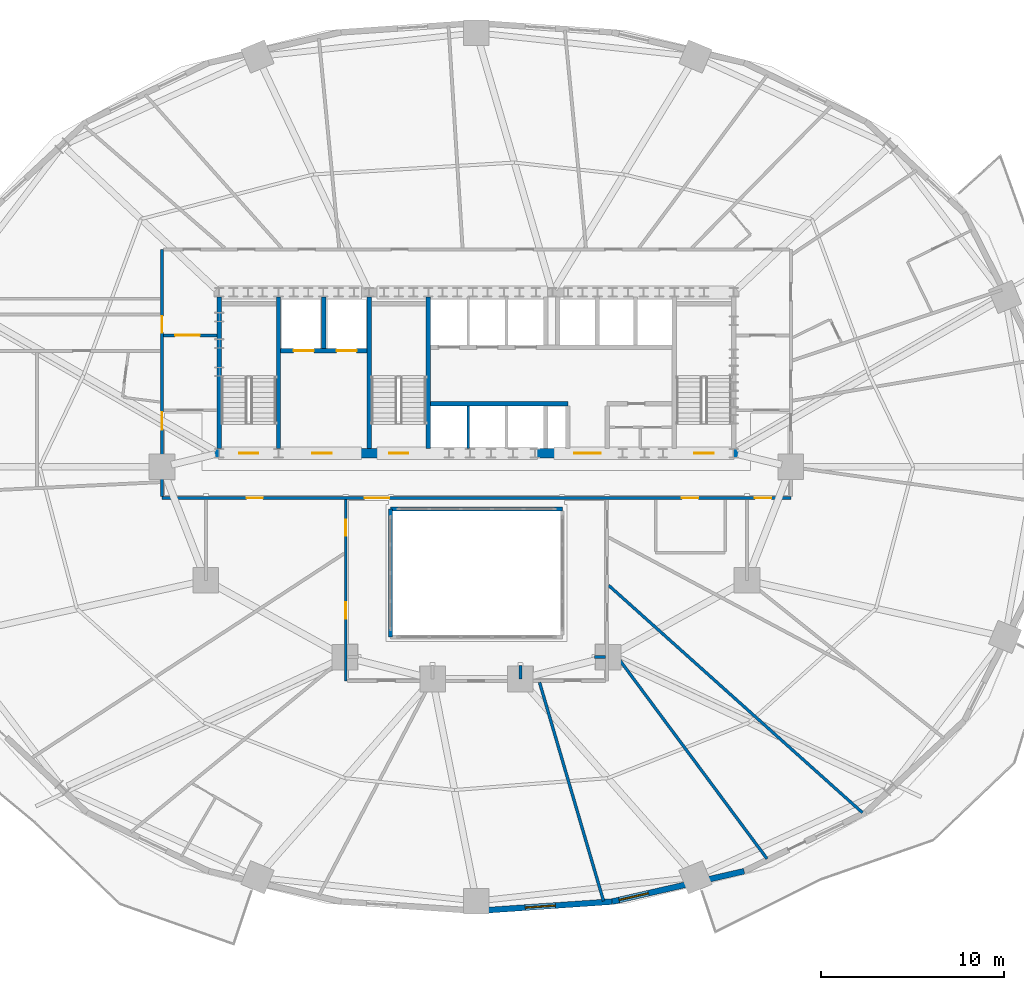
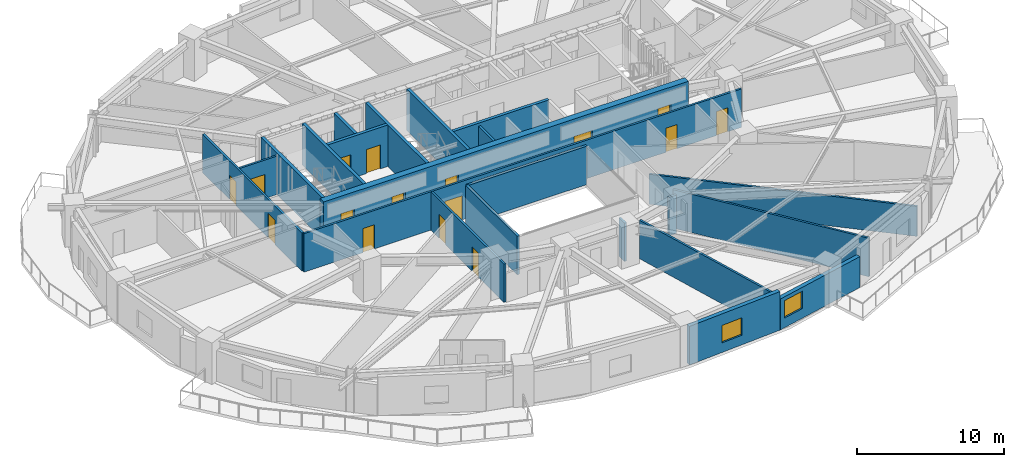
# One storey, part 10 of 17: 22 walls, 16 doors, 2 windows, 18 openings.
"""IFC4 building model written with IfcOpenShell, lengths in metres."""

import ifcopenshell
import ifcopenshell.guid

model = None  # the IFC model being written
_history = None  # IfcOwnerHistory: only IFC2X3 demands one
_inside = {}  # id of a spatial element -> (the spatial element, [elements in it])
_under = {}  # id of a project, library or spatial element -> (it, [spatial elements below it])
_declared = {}  # id of a project -> (the project, [libraries it declares])
_typed = {}  # id of a type object -> (the type object, [elements of that type])
_made_of = {}  # id of a material, layer set ... -> (it, [elements and type objects made of it])


def new_model(schema):
    """Start an empty IFC model of exactly this schema.

    Asked for "IFC4X3", IfcOpenShell would pick the latest addendum, in which some entities
    have other attributes; the version numbers below select the first issue.
    IFC2X3 requires an IfcOwnerHistory on every rooted entity: one is made here for all.
    """
    global model, _history
    if schema == "IFC4X3":
        model = ifcopenshell.file(schema_version=(4, 3, 0, 0))
    else:
        model = ifcopenshell.file(schema=schema)
    _inside.clear()
    _under.clear()
    _declared.clear()
    _typed.clear()
    _made_of.clear()
    _history = None
    if model.schema == "IFC2X3":
        org = make("IfcOrganization", Name="unknown")
        user = make(
            "IfcPersonAndOrganization",
            ThePerson=make("IfcPerson", FamilyName="unknown"),
            TheOrganization=org,
        )
        app = make(
            "IfcApplication",
            ApplicationDeveloper=org,
            Version="unknown",
            ApplicationFullName="unknown",
            ApplicationIdentifier="unknown",
        )
        _history = make(
            "IfcOwnerHistory",
            OwningUser=user,
            OwningApplication=app,
            ChangeAction="ADDED",
            CreationDate=0,
        )
    return model


def make(cls, **values):
    """One entity of the class cls with the attributes given. An attribute that is None is left unset."""
    return model.create_entity(
        cls, **{name: value for name, value in values.items() if value is not None}
    )


def rooted(cls, **values):
    """An entity with a GlobalId (a new one), such as an element, a storey or a relation."""
    return make(cls, GlobalId=ifcopenshell.guid.new(), OwnerHistory=_history, **values)


def si_unit(unit_type, name, prefix=None):
    """IfcSIUnit, for example si_unit("LENGTHUNIT", "METRE", prefix="MILLI")."""
    return make("IfcSIUnit", UnitType=unit_type, Prefix=prefix, Name=name)


def assignment(units):
    """IfcUnitAssignment: the units of a project."""
    return None if units is None else make("IfcUnitAssignment", Units=units)


def point(xyz):
    """IfcCartesianPoint."""
    return None if xyz is None else make("IfcCartesianPoint", Coordinates=xyz)


def direction(xyz):
    """IfcDirection."""
    return None if xyz is None else make("IfcDirection", DirectionRatios=xyz)


def frame(location, z_axis=None, x_axis=None):
    """IfcAxis2Placement3D, a coordinate frame: its origin and axes. An axis left out is left unset."""
    return make(
        "IfcAxis2Placement3D",
        Location=point(location),
        Axis=direction(z_axis),
        RefDirection=direction(x_axis),
    )


def frame_2d(location, x_axis=None):
    """IfcAxis2Placement2D, a coordinate frame in the plane: its origin and x axis."""
    return make(
        "IfcAxis2Placement2D", Location=point(location), RefDirection=direction(x_axis)
    )


def origin():
    """The frame at (0, 0, 0) with its axes left unset."""
    return frame((0.0, 0.0, 0.0))


def place(relative_to, where):
    """IfcLocalPlacement: puts the frame where relative to a parent placement (None: the world)."""
    return make(
        "IfcLocalPlacement", PlacementRelTo=relative_to, RelativePlacement=where
    )


def context(
    kind, dimensions, precision=None, world=None, true_north=None, identifier=None
):
    """IfcGeometricRepresentationContext, for example the 3D "Model" context."""
    return make(
        "IfcGeometricRepresentationContext",
        ContextIdentifier=identifier,
        ContextType=kind,
        CoordinateSpaceDimension=dimensions,
        Precision=precision,
        WorldCoordinateSystem=world,
        TrueNorth=true_north,
    )


def subcontext(parent, identifier, kind, view, scale=None):
    """IfcGeometricRepresentationSubContext, for example "Body" below "Model"."""
    return make(
        "IfcGeometricRepresentationSubContext",
        ContextIdentifier=identifier,
        ContextType=kind,
        ParentContext=parent,
        TargetScale=scale,
        TargetView=view,
    )


def project(units=None, contexts=None):
    """IfcProject with its units and contexts."""
    return rooted(
        "IfcProject",
        Name="project",
        RepresentationContexts=contexts,
        UnitsInContext=assignment(units),
    )


def spatial(cls, under=None, at=None, **own):
    """A site, building, storey or space (cls), placed at a placement, below another one or the project."""
    s = rooted(cls, ObjectPlacement=at, **own)
    if under is not None:
        _under.setdefault(under.id(), (under, []))[1].append(s)
    return s


def profile(cls, at=None, kind="AREA", **sizes):
    """A parametric profile (cls). Its sizes go by their IFC names, for example OverallWidth=200.0."""
    return make(cls, ProfileType=kind, Position=at, **sizes)


def rectangle(**sizes):
    """IfcRectangleProfileDef."""
    return profile("IfcRectangleProfileDef", **sizes)


def extrude(swept, where, along, depth):
    """IfcExtrudedAreaSolid: the profile swept, set in the frame where, extruded along a direction by depth."""
    return make(
        "IfcExtrudedAreaSolid",
        SweptArea=swept,
        Position=where,
        ExtrudedDirection=direction(along),
        Depth=depth,
    )


def shape(context_of_items, identifier, shape_type, items):
    """IfcShapeRepresentation: the items that make up one representation, for example the "Body"."""
    return make(
        "IfcShapeRepresentation",
        ContextOfItems=context_of_items,
        RepresentationIdentifier=identifier,
        RepresentationType=shape_type,
        Items=items,
    )


def material(Name=None, Category=None):
    """IfcMaterial."""
    return make("IfcMaterial", Name=Name, Category=Category)


def layer(
    of_material, thickness, ventilated=None, Name=None, Category=None, Priority=None
):
    """IfcMaterialLayer: one layer of a wall or slab, of a material (None: an air gap)."""
    return make(
        "IfcMaterialLayer",
        Material=of_material,
        LayerThickness=thickness,
        IsVentilated=ventilated,
        Name=Name,
        Category=Category,
        Priority=Priority,
    )


def layer_set(layers, Name=None):
    """IfcMaterialLayerSet."""
    return make("IfcMaterialLayerSet", MaterialLayers=layers, LayerSetName=Name)


def made_of(thing, what):
    """Note that an element or type object is made of a material, layer set ...; save() writes the relation."""
    if what is not None:
        _made_of.setdefault(what.id(), (what, []))[1].append(thing)
    return thing


def type_object(cls, material=None, **own):
    """A type object (cls), such as IfcWallType, which elements share."""
    return made_of(rooted(cls, **own), material)


def element(
    cls,
    number,
    at=None,
    inside=None,
    cuts=None,
    type_object=None,
    material=None,
    context=None,
    identifier="Body",
    shape_type=None,
    held_by="IfcProductDefinitionShape",
    body=None,
    shapes=None,
    **own,
):
    """One element of the class cls, such as IfcWall. Its Tag is "e" and its number.

    at: its placement. inside: the storey or other place that contains it. cuts: it is an
    opening in that element (IfcRelVoidsElement). A single representation is given by context,
    identifier, shape_type and body (its items); several are given by shapes. held_by: the class
    of the entity that holds the representations. save() writes the other relations.
    """
    e = rooted(cls, Tag="e%d" % number, ObjectPlacement=at, **own)
    if body is not None:
        shapes = [shape(context, identifier, shape_type, body)]
    if shapes is not None:
        e.Representation = make(held_by, Representations=shapes)
    if inside is not None:
        _inside.setdefault(inside.id(), (inside, []))[1].append(e)
    if cuts is not None:
        rooted(
            "IfcRelVoidsElement", RelatingBuildingElement=cuts, RelatedOpeningElement=e
        )
    if type_object is not None:
        _typed.setdefault(type_object.id(), (type_object, []))[1].append(e)
    return made_of(e, material)


def fill(opening, filler):
    """IfcRelFillsElement: the door or window that sits in an opening."""
    return rooted(
        "IfcRelFillsElement",
        RelatingOpeningElement=opening,
        RelatedBuildingElement=filler,
    )


def aggregate(whole, parts):
    """IfcRelAggregates: a whole, such as a stair, and the parts it consists of."""
    return rooted("IfcRelAggregates", RelatingObject=whole, RelatedObjects=parts)


def save(model, path):
    """Write the relations noted so far, then the file.

    IfcRelAggregates (storeys below a building ...), IfcRelContainedInSpatialStructure (elements
    in a storey), IfcRelDefinesByType, IfcRelAssociatesMaterial and IfcRelDeclares: one each for
    every whole, place, type object, material and project.
    """
    for whole, parts in _under.values():
        aggregate(whole, parts)
    for where, things in _inside.values():
        rooted(
            "IfcRelContainedInSpatialStructure",
            RelatedElements=things,
            RelatingStructure=where,
        )
    for kind, things in _typed.values():
        rooted("IfcRelDefinesByType", RelatedObjects=things, RelatingType=kind)
    for what, things in _made_of.values():
        rooted("IfcRelAssociatesMaterial", RelatedObjects=things, RelatingMaterial=what)
    for by, libraries in _declared.values():
        rooted("IfcRelDeclares", RelatingContext=by, RelatedDefinitions=libraries)
    model.write(path)


model = new_model("IFC4")

# Units and contexts
model_context = context("Model", 3, precision=1e-05, world=origin(), true_north=direction((0.0, 1.0)))
body_context = subcontext(model_context, "Body", "Model", "MODEL_VIEW")
ifc_project = project(units=[si_unit("LENGTHUNIT", "METRE"), si_unit("AREAUNIT", "SQUARE_METRE"), si_unit("VOLUMEUNIT", "CUBIC_METRE"), si_unit("PLANEANGLEUNIT", "RADIAN"), si_unit("MASSUNIT", "GRAM", prefix="KILO")], contexts=[model_context])

# Site, building, storey
site_placement = place(None, origin())
site = spatial("IfcSite", under=ifc_project, at=site_placement, CompositionType="ELEMENT")
building_placement = place(site_placement, origin())
building = spatial("IfcBuilding", under=site, at=building_placement, Name="Haldorwick Loom Tower", CompositionType="ELEMENT")
storey_placement = place(building_placement, frame((0.0, 0.0, 61.949951171875)))
storey = spatial("IfcBuildingStorey", under=building, at=storey_placement, Name="L16", CompositionType="ELEMENT", Elevation=61.949951171875)

# Wall, opening, window
ifc_material_1 = material(Name="Pressed Clay Face Brick and Insulated Masonry Backup Assembly", Category="masonry")
ifc_layer_1 = layer(ifc_material_1, 0.320068359375, Name="Pressed Clay Face Brick and Insulated Masonry Backup Assembly", Category="masonry")
ifc_layer_set_1 = layer_set([ifc_layer_1], Name="Pressed Clay Face Brick and Insulated Masonry Backup Assembly")
wall_type_1 = type_object("IfcWallType", Name="ARC-WL-EXT320", PredefinedType="STANDARD", material=ifc_layer_set_1)
wall_1_placement = place(storey_placement, frame((36.0, 1.7099609375, 0.0), z_axis=(0.0, 0.0, 1.0), x_axis=(0.997645161917, 0.068586667092, 0.0)))
wall_1 = element("IfcWall", 1, at=wall_1_placement, inside=storey, type_object=wall_type_1, Name="L16 Brick Pier and Spandrel Wall 19", PredefinedType="STANDARD", context=body_context, shape_type="SweptSolid", body=[
    extrude(rectangle(XDim=7.428955078125, YDim=0.320068359375, at=frame_2d((3.71435546875, 0.0))), origin(), (0.0, 0.0, 1.0), 3.2099609375),
])
opening_1_placement = place(wall_1_placement, frame((2.679443359375, 0.0, 0.800048828125)))
opening_1 = element("IfcOpeningElement", 2, at=opening_1_placement, cuts=wall_1, Name="Opening W-01B", PredefinedType="OPENING", context=body_context, shape_type="SweptSolid", body=[
    extrude(rectangle(XDim=1.64990234375, YDim=1.449951171875, at=frame_2d((0.824951171875, 0.72509765625))), frame((0.0, 0.169921875, 0.0), z_axis=(0.0, -1.0, 0.0), x_axis=(1.0, 0.0, 0.0)), (0.0, 0.0, 1.0), 0.340087890625),
])
ifc_material_2 = material(Name="Triple-Glazed Low-E Argon Insulated Glazing Unit", Category="glass")
window_type = type_object("IfcWindowType", Name="ARC-WIN-W165", PartitioningType="SINGLE_PANEL", PredefinedType="WINDOW", material=ifc_material_2)
window_1_placement = place(opening_1_placement, origin())
window_1 = element("IfcWindow", 3, at=window_1_placement, inside=storey, type_object=window_type, Name="L16 Deep-Set Zone 7A Window 19", OverallHeight=1.449951171875, OverallWidth=1.64990234375, PartitioningType="SINGLE_PANEL", PredefinedType="WINDOW", context=body_context, shape_type="SweptSolid", body=[
    extrude(rectangle(XDim=1.64990234375, YDim=1.449951171875, at=frame_2d((0.824951171875, 0.72509765625))), frame((0.0, 0.030029296875, 0.0), z_axis=(0.0, -1.0, 0.0), x_axis=(1.0, 0.0, 0.0)), (0.0, 0.0, 1.0), 0.06005859375),
])
fill(opening_1, window_1)

wall_2_placement = place(storey_placement, frame((43.411376953125, 2.219482421875, 0.0), z_axis=(0.0, 0.0, 1.0), x_axis=(0.974522412345, 0.224290142088, 0.0)))
wall_2 = element("IfcWall", 4, at=wall_2_placement, inside=storey, type_object=wall_type_1, Name="L16 Brick Pier and Spandrel Wall 20", PredefinedType="STANDARD", context=body_context, shape_type="SweptSolid", body=[
    extrude(rectangle(XDim=7.422607421875, YDim=0.320068359375, at=frame_2d((3.71142578125, 0.0))), origin(), (0.0, 0.0, 1.0), 2.569091796875),
])
opening_2_placement = place(wall_2_placement, frame((0.39990234375, 0.0, 0.800048828125)))
opening_2 = element("IfcOpeningElement", 5, at=opening_2_placement, cuts=wall_2, Name="Opening W-01B", PredefinedType="OPENING", context=body_context, shape_type="SweptSolid", body=[
    extrude(rectangle(XDim=1.64990234375, YDim=1.449951171875, at=frame_2d((0.824951171875, 0.72509765625))), frame((0.0, 0.169921875, 0.0), z_axis=(0.0, -1.0, 0.0), x_axis=(1.0, 0.0, 0.0)), (0.0, 0.0, 1.0), 0.340087890625),
])
window_2_placement = place(opening_2_placement, origin())
window_2 = element("IfcWindow", 6, at=window_2_placement, inside=storey, type_object=window_type, Name="L16 Deep-Set Zone 7A Window 20", OverallHeight=1.449951171875, OverallWidth=1.64990234375, PartitioningType="SINGLE_PANEL", PredefinedType="WINDOW", context=body_context, shape_type="SweptSolid", body=[
    extrude(rectangle(XDim=1.64990234375, YDim=1.449951171875, at=frame_2d((0.824951171875, 0.72509765625))), frame((0.0, 0.030029296875, 0.0), z_axis=(0.0, -1.0, 0.0), x_axis=(1.0, 0.0, 0.0)), (0.0, 0.0, 1.0), 0.06005859375),
])
fill(opening_2, window_2)

# Wall, openings, doors
ifc_material_3 = material(Name="Fire-Rated Type X Gypsum Stud Assembly EI 60")
ifc_layer_2 = layer(ifc_material_3, 0.159912109375, Name="Fire-Rated Type X Gypsum Stud Assembly EI 60")
ifc_layer_set_2 = layer_set([ifc_layer_2], Name="Fire-Rated Type X Gypsum Stud Assembly EI 60")
wall_type_2 = type_object("IfcWallType", Name="ARC-WL-FIRE160", PredefinedType="PARTITIONING", material=ifc_layer_set_2)
wall_3_placement = place(storey_placement, frame((18.800048828125, 24.300048828125, 0.0), z_axis=(0.0, 0.0, 1.0), x_axis=(1.0, 0.0, 0.0)))
wall_3 = element("IfcWall", 7, at=wall_3_placement, inside=storey, type_object=wall_type_2, Name="L16 Residential Fire Partition L16-CR-SP", PredefinedType="PARTITIONING", context=body_context, shape_type="SweptSolid", body=[
    extrude(rectangle(XDim=34.39990234375, YDim=0.159912109375, at=frame_2d((17.199951171875, 0.0))), origin(), (0.0, 0.0, 1.0), 3.195068359375),
])
opening_3_placement = place(wall_3_placement, frame((11.085693359375, 0.0, 0.0)))
opening_3 = element("IfcOpeningElement", 8, at=opening_3_placement, cuts=wall_3, Name="Opening D-CR15", PredefinedType="OPENING", context=body_context, shape_type="SweptSolid", body=[
    extrude(rectangle(XDim=1.35009765625, YDim=2.0, at=frame_2d((0.675048828125, 1.0))), frame((0.0, 0.08984375, 0.0), z_axis=(0.0, -1.0, 0.0), x_axis=(1.0, 0.0, 0.0)), (0.0, 0.0, 1.0), 0.179931640625),
])
opening_4_placement = place(wall_3_placement, frame((4.621826171875, 0.0, 0.0)))
opening_4 = element("IfcOpeningElement", 9, at=opening_4_placement, cuts=wall_3, Name="Opening D-FD60A", PredefinedType="OPENING", context=body_context, shape_type="SweptSolid", body=[
    extrude(rectangle(XDim=0.89990234375, YDim=2.0, at=frame_2d((0.449951171875, 1.0))), frame((0.0, 0.08984375, 0.0), z_axis=(0.0, -1.0, 0.0), x_axis=(1.0, 0.0, 0.0)), (0.0, 0.0, 1.0), 0.179931640625),
])
opening_5_placement = place(wall_3_placement, frame((28.437255859375, 0.0, 0.0)))
opening_5 = element("IfcOpeningElement", 10, at=opening_5_placement, cuts=wall_3, Name="Opening D-FD60A", PredefinedType="OPENING", context=body_context, shape_type="SweptSolid", body=[
    extrude(rectangle(XDim=0.89990234375, YDim=2.0, at=frame_2d((0.449951171875, 1.0))), frame((0.0, 0.08984375, 0.0), z_axis=(0.0, -1.0, 0.0), x_axis=(1.0, 0.0, 0.0)), (0.0, 0.0, 1.0), 0.179931640625),
])
opening_6_placement = place(wall_3_placement, frame((32.436767578125, 0.0, 0.0)))
opening_6 = element("IfcOpeningElement", 11, at=opening_6_placement, cuts=wall_3, Name="Opening D-FD60A", PredefinedType="OPENING", context=body_context, shape_type="SweptSolid", body=[
    extrude(rectangle(XDim=0.89990234375, YDim=2.0, at=frame_2d((0.449951171875, 1.0))), frame((0.0, 0.08984375, 0.0), z_axis=(0.0, -1.0, 0.0), x_axis=(1.0, 0.0, 0.0)), (0.0, 0.0, 1.0), 0.179931640625),
])
ifc_material_4 = material(Name="Thermally Broken Anodized Aluminium and Tempered Glass", Category="aluminium")
door_type_1 = type_object("IfcDoorType", Name="ARC-DR-COR150", OperationType="NOTDEFINED", PredefinedType="DOOR", material=ifc_material_4)
door_1_placement = place(opening_3_placement, origin())
door_1 = element("IfcDoor", 12, at=door_1_placement, inside=storey, type_object=door_type_1, Name="L16 L16 Central Residential Corridor to L16 South Atrium Corridor Door", OperationType="DOUBLE_DOOR_SINGLE_SWING", OverallHeight=2.0, OverallWidth=1.35009765625, PredefinedType="DOOR", context=body_context, shape_type="SweptSolid", body=[
    extrude(rectangle(XDim=1.35009765625, YDim=2.0, at=frame_2d((0.675048828125, 1.0))), frame((0.0, 0.02490234375, 0.0), z_axis=(0.0, -1.0, 0.0), x_axis=(1.0, 0.0, 0.0)), (0.0, 0.0, 1.0), 0.050048828125),
])
fill(opening_3, door_1)
ifc_material_5 = material(Name="Hollow Steel Fire Door Assembly", Category="steel")
door_type_2 = type_object("IfcDoorType", Name="ARC-DR-FD60-90", OperationType="NOTDEFINED", PredefinedType="DOOR", material=ifc_material_5)
door_2_placement = place(opening_4_placement, origin())
door_2 = element("IfcDoor", 13, at=door_2_placement, inside=storey, type_object=door_type_2, Name="L16 L16 Central Residential Corridor to Tenant Seminar Meeting Room 18 D", OperationType="SINGLE_SWING_LEFT", OverallHeight=2.0, OverallWidth=0.89990234375, PredefinedType="DOOR", context=body_context, shape_type="SweptSolid", body=[
    extrude(rectangle(XDim=0.89990234375, YDim=2.0, at=frame_2d((0.449951171875, 1.0))), frame((0.0, 0.02490234375, 0.0), z_axis=(0.0, -1.0, 0.0), x_axis=(1.0, 0.0, 0.0)), (0.0, 0.0, 1.0), 0.050048828125),
])
fill(opening_4, door_2)
door_3_placement = place(opening_5_placement, origin())
door_3 = element("IfcDoor", 14, at=door_3_placement, inside=storey, type_object=door_type_2, Name="L16 L16 Central Residential Corridor to Common Accessible WC Door", OperationType="SINGLE_SWING_LEFT", OverallHeight=2.0, OverallWidth=0.89990234375, PredefinedType="DOOR", context=body_context, shape_type="SweptSolid", body=[
    extrude(rectangle(XDim=0.89990234375, YDim=2.0, at=frame_2d((0.449951171875, 1.0))), frame((0.0, 0.02490234375, 0.0), z_axis=(0.0, -1.0, 0.0), x_axis=(1.0, 0.0, 0.0)), (0.0, 0.0, 1.0), 0.050048828125),
])
fill(opening_5, door_3)
door_4_placement = place(opening_6_placement, origin())
door_4 = element("IfcDoor", 15, at=door_4_placement, inside=storey, type_object=door_type_2, Name="L16 L16 Central Residential Corridor to Tenant Seminar Meeting Room 2 Do", OperationType="SINGLE_SWING_RIGHT", OverallHeight=2.0, OverallWidth=0.89990234375, PredefinedType="DOOR", context=body_context, shape_type="SweptSolid", body=[
    extrude(rectangle(XDim=0.89990234375, YDim=2.0, at=frame_2d((0.449951171875, 1.0))), frame((0.0, 0.02490234375, 0.0), z_axis=(0.0, -1.0, 0.0), x_axis=(1.0, 0.0, 0.0)), (0.0, 0.0, 1.0), 0.050048828125),
])
fill(opening_6, door_4)

wall_4_placement = place(storey_placement, frame((18.800048828125, 24.383056640625, 0.0), z_axis=(0.0, 0.0, 1.0), x_axis=(0.0, 1.0, 0.0)))
wall_4 = element("IfcWall", 16, at=wall_4_placement, inside=storey, type_object=wall_type_2, Name="L16 Residential Fire Partition L16-CR-W0", PredefinedType="PARTITIONING", context=body_context, shape_type="SweptSolid", body=[
    extrude(rectangle(XDim=13.516845703125, YDim=0.159912109375, at=frame_2d((6.75830078125, 0.0))), origin(), (0.0, 0.0, 1.0), 3.195068359375),
])
opening_7_placement = place(wall_4_placement, frame((8.967529296875, 0.0, 0.0)))
opening_7 = element("IfcOpeningElement", 17, at=opening_7_placement, cuts=wall_4, Name="Opening D-FD60A", PredefinedType="OPENING", context=body_context, shape_type="SweptSolid", body=[
    extrude(rectangle(XDim=0.89990234375, YDim=2.0, at=frame_2d((0.449951171875, 1.0))), frame((0.0, 0.08984375, 0.0), z_axis=(0.0, -1.0, 0.0), x_axis=(1.0, 0.0, 0.0)), (0.0, 0.0, 1.0), 0.179931640625),
])
opening_8_placement = place(wall_4_placement, frame((3.661865234375, 0.0, 0.0)))
opening_8 = element("IfcOpeningElement", 18, at=opening_8_placement, cuts=wall_4, Name="Opening D-FL95", PredefinedType="OPENING", context=body_context, shape_type="SweptSolid", body=[
    extrude(rectangle(XDim=0.949951171875, YDim=2.0400390625, at=frame_2d((0.47509765625, 1.02001953125))), frame((0.0, 0.08984375, 0.0), z_axis=(0.0, -1.0, 0.0), x_axis=(1.0, 0.0, 0.0)), (0.0, 0.0, 1.0), 0.179931640625),
])
door_5_placement = place(opening_7_placement, origin())
door_5 = element("IfcDoor", 19, at=door_5_placement, inside=storey, type_object=door_type_2, Name="L16 L16 West Daylight Corridor to L16 North Residential Corridor Door", OperationType="SINGLE_SWING_RIGHT", OverallHeight=2.0, OverallWidth=0.89990234375, PredefinedType="DOOR", context=body_context, shape_type="SweptSolid", body=[
    extrude(rectangle(XDim=0.89990234375, YDim=2.0, at=frame_2d((0.449951171875, 1.0))), frame((0.0, 0.02490234375, 0.0), z_axis=(0.0, -1.0, 0.0), x_axis=(1.0, 0.0, 0.0)), (0.0, 0.0, 1.0), 0.050048828125),
])
fill(opening_7, door_5)
ifc_material_6 = material(Name="Solid Core Birch Architectural Door")
door_type_3 = type_object("IfcDoorType", Name="ARC-DR-FLAT95", OperationType="NOTDEFINED", PredefinedType="DOOR", material=ifc_material_6)
door_6_placement = place(opening_8_placement, frame((0.949951171875, 0.0, 0.0), z_axis=(0.0, 0.0, 1.0), x_axis=(-1.0, 0.0, 0.0)))
door_6 = element("IfcDoor", 20, at=door_6_placement, inside=storey, type_object=door_type_3, Name="L16 Unit 16F Kitchen and Studio Living Room to L16 Central Residential C", OperationType="SINGLE_SWING_RIGHT", OverallHeight=2.0400390625, OverallWidth=0.949951171875, PredefinedType="DOOR", context=body_context, shape_type="SweptSolid", body=[
    extrude(rectangle(XDim=0.949951171875, YDim=2.0400390625, at=frame_2d((0.47509765625, 1.02001953125))), frame((0.0, 0.02490234375, 0.0), z_axis=(0.0, -1.0, 0.0), x_axis=(1.0, 0.0, 0.0)), (0.0, 0.0, 1.0), 0.050048828125),
])
fill(opening_8, door_6)

# Wall, opening, door
wall_5_placement = place(storey_placement, frame((18.883056640625, 33.199951171875, 0.0), z_axis=(0.0, 0.0, 1.0), x_axis=(1.0, 0.0, 0.0)))
wall_5 = element("IfcWall", 21, at=wall_5_placement, inside=storey, type_object=wall_type_2, Name="L16 Residential Fire Partition L16-CR-WNJ", PredefinedType="PARTITIONING", context=body_context, shape_type="SweptSolid", body=[
    extrude(rectangle(XDim=2.923828125, YDim=0.159912109375, at=frame_2d((1.4619140625, 0.0))), origin(), (0.0, 0.0, 1.0), 3.195068359375),
])
opening_9_placement = place(wall_5_placement, frame((0.637939453125, 0.0, 0.0)))
opening_9 = element("IfcOpeningElement", 22, at=opening_9_placement, cuts=wall_5, Name="Opening D-CR15", PredefinedType="OPENING", context=body_context, shape_type="SweptSolid", body=[
    extrude(rectangle(XDim=1.35009765625, YDim=2.0, at=frame_2d((0.675048828125, 1.0))), frame((0.0, 0.08984375, 0.0), z_axis=(0.0, -1.0, 0.0), x_axis=(1.0, 0.0, 0.0)), (0.0, 0.0, 1.0), 0.179931640625),
])
door_7_placement = place(opening_9_placement, origin())
door_7 = element("IfcDoor", 23, at=door_7_placement, inside=storey, type_object=door_type_1, Name="L16 L16 North Residential Corridor to L16 West Residential Corridor Door", OperationType="DOUBLE_DOOR_SINGLE_SWING", OverallHeight=2.0, OverallWidth=1.35009765625, PredefinedType="DOOR", context=body_context, shape_type="SweptSolid", body=[
    extrude(rectangle(XDim=1.35009765625, YDim=2.0, at=frame_2d((0.675048828125, 1.0))), frame((0.0, 0.02490234375, 0.0), z_axis=(0.0, -1.0, 0.0), x_axis=(1.0, 0.0, 0.0)), (0.0, 0.0, 1.0), 0.050048828125),
])
fill(opening_9, door_7)

# Wall, openings, doors
wall_6_placement = place(storey_placement, frame((28.85009765625, 14.300048828125, 0.0), z_axis=(0.0, 0.0, 1.0), x_axis=(0.0, 1.0, 0.0)))
wall_6 = element("IfcWall", 24, at=wall_6_placement, inside=storey, type_object=wall_type_2, Name="L16 Residential Fire Partition L16-CR-AW", PredefinedType="PARTITIONING", context=body_context, shape_type="SweptSolid", body=[
    extrude(rectangle(XDim=9.9169921875, YDim=0.159912109375, at=frame_2d((4.95849609375, 0.0))), origin(), (0.0, 0.0, 1.0), 3.195068359375),
])
opening_10_placement = place(wall_6_placement, frame((3.406494140625, 0.0, 0.0)))
opening_10 = element("IfcOpeningElement", 25, at=opening_10_placement, cuts=wall_6, Name="Opening D-FD60A", PredefinedType="OPENING", context=body_context, shape_type="SweptSolid", body=[
    extrude(rectangle(XDim=0.89990234375, YDim=2.0, at=frame_2d((0.449951171875, 1.0))), frame((0.0, 0.08984375, 0.0), z_axis=(0.0, -1.0, 0.0), x_axis=(1.0, 0.0, 0.0)), (0.0, 0.0, 1.0), 0.179931640625),
])
opening_11_placement = place(wall_6_placement, frame((7.92431640625, 0.0, 0.0)))
opening_11 = element("IfcOpeningElement", 26, at=opening_11_placement, cuts=wall_6, Name="Opening D-FD60A", PredefinedType="OPENING", context=body_context, shape_type="SweptSolid", body=[
    extrude(rectangle(XDim=0.89990234375, YDim=2.0, at=frame_2d((0.449951171875, 1.0))), frame((0.0, 0.08984375, 0.0), z_axis=(0.0, -1.0, 0.0), x_axis=(1.0, 0.0, 0.0)), (0.0, 0.0, 1.0), 0.179931640625),
])
door_8_placement = place(opening_10_placement, frame((0.89990234375, 0.0, 0.0), z_axis=(0.0, 0.0, 1.0), x_axis=(-1.0, 0.0, 0.0)))
door_8 = element("IfcDoor", 27, at=door_8_placement, inside=storey, type_object=door_type_2, Name="L16 Tenant Seminar Meeting Room 13 to L16 South Atrium Corridor Door", OperationType="SINGLE_SWING_RIGHT", OverallHeight=2.0, OverallWidth=0.89990234375, PredefinedType="DOOR", context=body_context, shape_type="SweptSolid", body=[
    extrude(rectangle(XDim=0.89990234375, YDim=2.0, at=frame_2d((0.449951171875, 1.0))), frame((0.0, 0.02490234375, 0.0), z_axis=(0.0, -1.0, 0.0), x_axis=(1.0, 0.0, 0.0)), (0.0, 0.0, 1.0), 0.050048828125),
])
fill(opening_10, door_8)
door_9_placement = place(opening_11_placement, frame((0.89990234375, 0.0, 0.0), z_axis=(0.0, 0.0, 1.0), x_axis=(-1.0, 0.0, 0.0)))
door_9 = element("IfcDoor", 28, at=door_9_placement, inside=storey, type_object=door_type_2, Name="L16 Tenant Seminar Meeting Room 18 to L16 South Atrium Corridor Door", OperationType="SINGLE_SWING_LEFT", OverallHeight=2.0, OverallWidth=0.89990234375, PredefinedType="DOOR", context=body_context, shape_type="SweptSolid", body=[
    extrude(rectangle(XDim=0.89990234375, YDim=2.0, at=frame_2d((0.449951171875, 1.0))), frame((0.0, 0.02490234375, 0.0), z_axis=(0.0, -1.0, 0.0), x_axis=(1.0, 0.0, 0.0)), (0.0, 0.0, 1.0), 0.050048828125),
])
fill(opening_11, door_9)

# Walls
wall_7_placement = place(storey_placement, frame((42.449951171875, 15.60009765625, 0.0), z_axis=(0.0, 0.0, 1.0), x_axis=(1.0, 0.0, 0.0)))
element("IfcWall", 29, at=wall_7_placement, inside=storey, type_object=wall_type_2, Name="L16 Residential Fire Partition L16-ICA-04", PredefinedType="PARTITIONING", context=body_context, shape_type="SweptSolid", body=[
    extrude(rectangle(XDim=0.616943359375, YDim=0.159912109375, at=frame_2d((0.30859375, 0.0))), origin(), (0.0, 0.0, 1.0), 3.195068359375),
])
wall_8_placement = place(storey_placement, frame((38.39990234375, 15.14990234375, 0.0), z_axis=(0.0, 0.0, 1.0), x_axis=(0.0, -1.0, 0.0)))
element("IfcWall", 30, at=wall_8_placement, inside=storey, type_object=wall_type_2, Name="L16 Residential Fire Partition L16-ICA-05", PredefinedType="PARTITIONING", context=body_context, shape_type="SweptSolid", body=[
    extrude(rectangle(XDim=0.75, YDim=0.159912109375, at=frame_2d((0.375, 0.0))), origin(), (0.0, 0.0, 1.0), 3.195068359375),
])
wall_9_placement = place(storey_placement, frame((43.23291015625, 16.247314453125, 0.0), z_axis=(0.0, 0.0, 1.0), x_axis=(0.595695026212, -0.803210704452, 0.0)))
element("IfcWall", 31, at=wall_9_placement, inside=storey, type_object=wall_type_2, Name="L16 Suite Split Wall", PredefinedType="PARTITIONING", context=body_context, shape_type="SweptSolid", body=[
    extrude(rectangle(XDim=14.54736328125, YDim=0.159912109375, at=frame_2d((7.273681640625, 0.0))), origin(), (0.0, 0.0, 1.0), 3.195068359375),
])
wall_10_placement = place(storey_placement, frame((39.45068359375, 14.217041015625, 0.0), z_axis=(0.0, 0.0, 1.0), x_axis=(0.28103162189, -0.959698508646, 0.0)))
element("IfcWall", 32, at=wall_10_placement, inside=storey, type_object=wall_type_2, Name="L16 Suite Split Wall", PredefinedType="PARTITIONING", context=body_context, shape_type="SweptSolid", body=[
    extrude(rectangle(XDim=12.46630859375, YDim=0.159912109375, at=frame_2d((6.233154296875, 0.0))), origin(), (0.0, 0.0, 1.0), 3.195068359375),
])
wall_11_placement = place(storey_placement, frame((43.23291015625, 19.521484375, 0.0), z_axis=(0.0, 0.0, 1.0), x_axis=(0.744881850993, -0.667196393921, 0.0)))
element("IfcWall", 33, at=wall_11_placement, inside=storey, type_object=wall_type_2, Name="L16 Suite Split Wall", PredefinedType="PARTITIONING", context=body_context, shape_type="SweptSolid", body=[
    extrude(rectangle(XDim=18.63916015625, YDim=0.159912109375, at=frame_2d((9.319580078125, 0.0))), origin(), (0.0, 0.0, 1.0), 2.489990234375),
])
ifc_material_7 = material(Name="Fire-Rated Type X Gypsum Stud Assembly EI 120")
ifc_layer_3 = layer(ifc_material_7, 0.199951171875, Name="Fire-Rated Type X Gypsum Stud Assembly EI 120")
ifc_layer_set_3 = layer_set([ifc_layer_3], Name="Fire-Rated Type X Gypsum Stud Assembly EI 120")
wall_type_3 = type_object("IfcWallType", Name="ARC-WL-FIRE200", PredefinedType="PARTITIONING", material=ifc_layer_set_3)
wall_12_placement = place(storey_placement, frame((31.300048828125, 23.699951171875, 0.0), z_axis=(0.0, 0.0, 1.0), x_axis=(1.0, 0.0, 0.0)))
element("IfcWall", 34, at=wall_12_placement, inside=storey, type_object=wall_type_3, Name="L16 Atrium Fire Enclosure Wall N", PredefinedType="PARTITIONING", context=body_context, shape_type="SweptSolid", body=[
    extrude(rectangle(XDim=9.39990234375, YDim=0.199951171875, at=frame_2d((4.699951171875, 0.0))), origin(), (0.0, 0.0, 1.0), 3.195068359375),
])
wall_13_placement = place(storey_placement, frame((31.300048828125, 16.699951171875, 0.0), z_axis=(0.0, 0.0, 1.0), x_axis=(0.0, 1.0, 0.0)))
element("IfcWall", 35, at=wall_13_placement, inside=storey, type_object=wall_type_3, Name="L16 Atrium Fire Enclosure Wall W", PredefinedType="PARTITIONING", context=body_context, shape_type="SweptSolid", body=[
    extrude(rectangle(XDim=7.0, YDim=0.199951171875, at=frame_2d((3.5, 0.0))), origin(), (0.0, 0.0, 1.0), 3.195068359375),
])
ifc_layer_4 = layer(ifc_material_7, 0.1650390625, Name="Fire-Rated Type X Gypsum Stud Assembly EI 120")
ifc_layer_set_4 = layer_set([ifc_layer_4], Name="Fire-Rated Type X Gypsum Stud Assembly EI 120")
wall_type_4 = type_object("IfcWallType", Name="ARC-WL-SHAFT160", PredefinedType="MOVABLE", material=ifc_layer_set_4)
wall_14_placement = place(storey_placement, frame((35.550048828125, 27.0029296875, 0.0), z_axis=(0.0, 0.0, 1.0), x_axis=(0.0, 1.0, 0.0)))
element("IfcWall", 36, at=wall_14_placement, inside=storey, type_object=wall_type_4, Name="L16 Mid-Rise Hoistway Divider 1", PredefinedType="MOVABLE", context=body_context, shape_type="SweptSolid", body=[
    extrude(rectangle(XDim=2.323974609375, YDim=0.159912109375, at=frame_2d((1.162109375, 0.0))), origin(), (0.0, 0.0, 1.0), 3.195068359375),
])

# Wall, openings, doors
ifc_material_8 = material(Name="Concrete C60 (60 MPa)", Category="concrete")
ifc_layer_5 = layer(ifc_material_8, 0.5, Name="Concrete C60 (60 MPa)", Category="concrete")
ifc_layer_set_5 = layer_set([ifc_layer_5], Name="Concrete C60 (60 MPa)")
wall_type_5 = type_object("IfcWallType", Name="STR-WL-CORE500", PredefinedType="SHEAR", material=ifc_layer_set_5)
wall_15_placement = place(storey_placement, frame((21.64990234375, 26.75, 0.0), z_axis=(0.0, 0.0, 1.0), x_axis=(1.0, 0.0, 0.0)))
wall_15 = element("IfcWall", 37, at=wall_15_placement, inside=storey, type_object=wall_type_5, Name="L16 Core Shear Wall S", PredefinedType="SHEAR", context=body_context, shape_type="SweptSolid", body=[
    extrude(rectangle(XDim=28.7001953125, YDim=0.5, at=frame_2d((14.35009765625, 0.0))), origin(), (0.0, 0.0, 1.0), 3.449951171875),
])
opening_12_placement = place(wall_15_placement, frame((1.375, 0.0, 0.0)))
opening_12 = element("IfcOpeningElement", 38, at=opening_12_placement, cuts=wall_15, Name="Opening D-FD60", PredefinedType="OPENING", context=body_context, shape_type="SweptSolid", body=[
    extrude(rectangle(XDim=1.050048828125, YDim=2.0, at=frame_2d((0.52490234375, 1.0))), frame((0.0, 0.260009765625, 0.0), z_axis=(0.0, -1.0, 0.0), x_axis=(1.0, 0.0, 0.0)), (0.0, 0.0, 1.0), 0.52001953125),
])
opening_13_placement = place(wall_15_placement, frame((5.375, 0.0, 0.0)))
opening_13 = element("IfcOpeningElement", 39, at=opening_13_placement, cuts=wall_15, Name="Opening D-FD60", PredefinedType="OPENING", context=body_context, shape_type="SweptSolid", body=[
    extrude(rectangle(XDim=1.050048828125, YDim=2.0, at=frame_2d((0.52490234375, 1.0))), frame((0.0, 0.260009765625, 0.0), z_axis=(0.0, -1.0, 0.0), x_axis=(1.0, 0.0, 0.0)), (0.0, 0.0, 1.0), 0.52001953125),
])
opening_14_placement = place(wall_15_placement, frame((9.574951171875, 0.0, 0.0)))
opening_14 = element("IfcOpeningElement", 40, at=opening_14_placement, cuts=wall_15, Name="Opening D-FD60", PredefinedType="OPENING", context=body_context, shape_type="SweptSolid", body=[
    extrude(rectangle(XDim=1.050048828125, YDim=2.0, at=frame_2d((0.52490234375, 1.0))), frame((0.0, 0.260009765625, 0.0), z_axis=(0.0, -1.0, 0.0), x_axis=(1.0, 0.0, 0.0)), (0.0, 0.0, 1.0), 0.52001953125),
])
opening_15_placement = place(wall_15_placement, frame((19.705078125, 0.0, 0.0)))
opening_15 = element("IfcOpeningElement", 41, at=opening_15_placement, cuts=wall_15, Name="Opening D-LB15", PredefinedType="OPENING", context=body_context, shape_type="SweptSolid", body=[
    extrude(rectangle(XDim=1.449951171875, YDim=2.0, at=frame_2d((0.72509765625, 1.0))), frame((0.0, 0.260009765625, 0.0), z_axis=(0.0, -1.0, 0.0), x_axis=(1.0, 0.0, 0.0)), (0.0, 0.0, 1.0), 0.52001953125),
])
opening_16_placement = place(wall_15_placement, frame((26.27490234375, 0.0, 0.0)))
opening_16 = element("IfcOpeningElement", 42, at=opening_16_placement, cuts=wall_15, Name="Opening D-FD60", PredefinedType="OPENING", context=body_context, shape_type="SweptSolid", body=[
    extrude(rectangle(XDim=1.050048828125, YDim=2.0, at=frame_2d((0.52490234375, 1.0))), frame((0.0, 0.260009765625, 0.0), z_axis=(0.0, -1.0, 0.0), x_axis=(1.0, 0.0, 0.0)), (0.0, 0.0, 1.0), 0.52001953125),
])
door_type_4 = type_object("IfcDoorType", Name="ARC-DR-FD60", OperationType="NOTDEFINED", PredefinedType="DOOR", material=ifc_material_5)
door_10_placement = place(opening_12_placement, origin())
door_10 = element("IfcDoor", 43, at=door_10_placement, inside=storey, type_object=door_type_4, Name="L16 Exit Stair ST-01 Fire Door", OperationType="SINGLE_SWING_RIGHT", OverallHeight=2.0, OverallWidth=1.050048828125, PredefinedType="DOOR", context=body_context, shape_type="SweptSolid", body=[
    extrude(rectangle(XDim=1.050048828125, YDim=2.0, at=frame_2d((0.52490234375, 1.0))), frame((0.0, 0.02490234375, 0.0), z_axis=(0.0, -1.0, 0.0), x_axis=(1.0, 0.0, 0.0)), (0.0, 0.0, 1.0), 0.050048828125),
])
fill(opening_12, door_10)
door_11_placement = place(opening_13_placement, origin())
door_11 = element("IfcDoor", 44, at=door_11_placement, inside=storey, type_object=door_type_4, Name="L16 Firefighting Lift Lobby Fire Door", OperationType="SINGLE_SWING_LEFT", OverallHeight=2.0, OverallWidth=1.050048828125, PredefinedType="DOOR", context=body_context, shape_type="SweptSolid", body=[
    extrude(rectangle(XDim=1.050048828125, YDim=2.0, at=frame_2d((0.52490234375, 1.0))), frame((0.0, 0.02490234375, 0.0), z_axis=(0.0, -1.0, 0.0), x_axis=(1.0, 0.0, 0.0)), (0.0, 0.0, 1.0), 0.050048828125),
])
fill(opening_13, door_11)
door_12_placement = place(opening_14_placement, origin())
door_12 = element("IfcDoor", 45, at=door_12_placement, inside=storey, type_object=door_type_4, Name="L16 Exit Stair ST-03 Fire Door", OperationType="SINGLE_SWING_LEFT", OverallHeight=2.0, OverallWidth=1.050048828125, PredefinedType="DOOR", context=body_context, shape_type="SweptSolid", body=[
    extrude(rectangle(XDim=1.050048828125, YDim=2.0, at=frame_2d((0.52490234375, 1.0))), frame((0.0, 0.02490234375, 0.0), z_axis=(0.0, -1.0, 0.0), x_axis=(1.0, 0.0, 0.0)), (0.0, 0.0, 1.0), 0.050048828125),
])
fill(opening_14, door_12)
door_13_placement = place(opening_16_placement, origin())
door_13 = element("IfcDoor", 46, at=door_13_placement, inside=storey, type_object=door_type_4, Name="L16 Exit Stair ST-02 Fire Door", OperationType="SINGLE_SWING_LEFT", OverallHeight=2.0, OverallWidth=1.050048828125, PredefinedType="DOOR", context=body_context, shape_type="SweptSolid", body=[
    extrude(rectangle(XDim=1.050048828125, YDim=2.0, at=frame_2d((0.52490234375, 1.0))), frame((0.0, 0.02490234375, 0.0), z_axis=(0.0, -1.0, 0.0), x_axis=(1.0, 0.0, 0.0)), (0.0, 0.0, 1.0), 0.050048828125),
])
fill(opening_16, door_13)
door_type_5 = type_object("IfcDoorType", Name="ARC-DR-LOB150", OperationType="NOTDEFINED", PredefinedType="DOOR", material=ifc_material_4)
door_14_placement = place(opening_15_placement, frame((1.449951171875, 0.0, 0.0), z_axis=(0.0, 0.0, 1.0), x_axis=(-1.0, 0.0, 0.0)))
door_14 = element("IfcDoor", 47, at=door_14_placement, inside=storey, type_object=door_type_5, Name="L16 Passenger Lift Lobby Fire Door", OperationType="DOUBLE_DOOR_SINGLE_SWING", OverallHeight=2.0, OverallWidth=1.449951171875, PredefinedType="DOOR", context=body_context, shape_type="SweptSolid", body=[
    extrude(rectangle(XDim=1.449951171875, YDim=2.0, at=frame_2d((0.72509765625, 1.0))), frame((0.0, 0.02490234375, 0.0), z_axis=(0.0, -1.0, 0.0), x_axis=(1.0, 0.0, 0.0)), (0.0, 0.0, 1.0), 0.050048828125),
])
fill(opening_15, door_14)

# Walls
ifc_material_9 = material(Name="Concrete C50 (50 MPa)", Category="concrete")
ifc_layer_6 = layer(ifc_material_9, 0.239990234375, Name="Concrete C50 (50 MPa)", Category="concrete")
ifc_layer_set_6 = layer_set([ifc_layer_6], Name="Concrete C50 (50 MPa)")
wall_type_6 = type_object("IfcWallType", Name="STR-WL-SHAFT240", PredefinedType="SHEAR", material=ifc_layer_set_6)
for number, where, z_axis, x_axis, name in (
    (48, (21.929931640625, 35.297119140625, 0.0), (0.0, 0.0, 1.0), (0.0, -1.0, 0.0), "L16 Core Shear Wall W"),
    (49, (25.169921875, 27.0029296875, 0.0), (0.0, 0.0, 1.0), (0.0, 1.0, 0.0), "L16 Core Shear Wall 1"),
    (50, (30.1298828125, 27.0029296875, 0.0), (0.0, 0.0, 1.0), (0.0, 1.0, 0.0), "L16 Core Shear Wall 2"),
    (51, (33.3701171875, 27.0029296875, 0.0), (0.0, 0.0, 1.0), (0.0, 1.0, 0.0), "L16 Core Shear Wall 3"),
):
    element("IfcWall", number, at=place(storey_placement, frame(where, z_axis=z_axis, x_axis=x_axis)), inside=storey, type_object=wall_type_6, Name=name, PredefinedType="SHEAR", context=body_context, shape_type="SweptSolid", body=[
        extrude(rectangle(XDim=8.294189453125, YDim=0.239990234375, at=frame_2d((4.14697265625, 0.0))), origin(), (0.0, 0.0, 1.0), 3.449951171875),
    ])

# Wall, openings, doors
wall_16_placement = place(storey_placement, frame((25.29296875, 32.35009765625, 0.0), z_axis=(0.0, 0.0, 1.0), x_axis=(1.0, 0.0, 0.0)))
wall_16 = element("IfcWall", 52, at=wall_16_placement, inside=storey, type_object=wall_type_6, Name="L16 Core Shear Wall FF", PredefinedType="SHEAR", context=body_context, shape_type="SweptSolid", body=[
    extrude(rectangle(XDim=4.714111328125, YDim=0.239990234375, at=frame_2d((2.35693359375, 0.0))), origin(), (0.0, 0.0, 1.0), 3.449951171875),
])
opening_17_placement = place(wall_16_placement, frame((0.70703125, 0.0, 0.0)))
opening_17 = element("IfcOpeningElement", 53, at=opening_17_placement, cuts=wall_16, Name="Opening LD-FF1", PredefinedType="OPENING", context=body_context, shape_type="SweptSolid", body=[
    extrude(rectangle(XDim=1.10009765625, YDim=2.0, at=frame_2d((0.550048828125, 1.0))), frame((0.0, 0.1298828125, 0.0), z_axis=(0.0, -1.0, 0.0), x_axis=(1.0, 0.0, 0.0)), (0.0, 0.0, 1.0), 0.260009765625),
])
opening_18_placement = place(wall_16_placement, frame((3.056884765625, 0.0, 0.0)))
opening_18 = element("IfcOpeningElement", 54, at=opening_18_placement, cuts=wall_16, Name="Opening LD-FF2", PredefinedType="OPENING", context=body_context, shape_type="SweptSolid", body=[
    extrude(rectangle(XDim=1.10009765625, YDim=2.0, at=frame_2d((0.550048828125, 1.0))), frame((0.0, 0.1298828125, 0.0), z_axis=(0.0, -1.0, 0.0), x_axis=(1.0, 0.0, 0.0)), (0.0, 0.0, 1.0), 0.260009765625),
])
door_type_6 = type_object("IfcDoorType", Name="ARC-DR-LD-FF", OperationType="NOTDEFINED", PredefinedType="USERDEFINED", material=ifc_material_5)
door_15_placement = place(opening_17_placement, origin())
door_15 = element("IfcDoor", 55, at=door_15_placement, inside=storey, type_object=door_type_6, Name="L16 Lift LF-FF1 Sliding Landing Door", ObjectType="LANDING DOOR", OperationType="DOUBLE_DOOR_SLIDING", OverallHeight=2.0, OverallWidth=1.10009765625, PredefinedType="USERDEFINED", context=body_context, shape_type="SweptSolid", body=[
    extrude(rectangle(XDim=1.10009765625, YDim=2.0, at=frame_2d((0.550048828125, 1.0))), frame((0.0, 0.02490234375, 0.0), z_axis=(0.0, -1.0, 0.0), x_axis=(1.0, 0.0, 0.0)), (0.0, 0.0, 1.0), 0.050048828125),
])
fill(opening_17, door_15)
door_16_placement = place(opening_18_placement, origin())
door_16 = element("IfcDoor", 56, at=door_16_placement, inside=storey, type_object=door_type_6, Name="L16 Lift LF-FF2 Sliding Landing Door", ObjectType="LANDING DOOR", OperationType="DOUBLE_DOOR_SLIDING", OverallHeight=2.0, OverallWidth=1.10009765625, PredefinedType="USERDEFINED", context=body_context, shape_type="SweptSolid", body=[
    extrude(rectangle(XDim=1.10009765625, YDim=2.0, at=frame_2d((0.550048828125, 1.0))), frame((0.0, 0.02490234375, 0.0), z_axis=(0.0, -1.0, 0.0), x_axis=(1.0, 0.0, 0.0)), (0.0, 0.0, 1.0), 0.050048828125),
])
fill(opening_18, door_16)

# Walls
wall_17_placement = place(storey_placement, frame((27.64990234375, 32.472900390625, 0.0), z_axis=(0.0, 0.0, 1.0), x_axis=(0.0, 1.0, 0.0)))
element("IfcWall", 57, at=wall_17_placement, inside=storey, type_object=wall_type_6, Name="L16 Core Shear Wall FFD", PredefinedType="SHEAR", context=body_context, shape_type="SweptSolid", body=[
    extrude(rectangle(XDim=2.82421875, YDim=0.239990234375, at=frame_2d((1.412109375, 0.0))), origin(), (0.0, 0.0, 1.0), 3.449951171875),
])
wall_18_placement = place(storey_placement, frame((33.492919921875, 29.449951171875, 0.0), z_axis=(0.0, 0.0, 1.0), x_axis=(1.0, 0.0, 0.0)))
element("IfcWall", 58, at=wall_18_placement, inside=storey, type_object=wall_type_6, Name="L16 Core Shear Wall LS1", PredefinedType="SHEAR", context=body_context, shape_type="SweptSolid", body=[
    extrude(rectangle(XDim=7.507080078125, YDim=0.239990234375, at=frame_2d((3.75341796875, 0.0))), origin(), (0.0, 0.0, 1.0), 3.449951171875),
])

save(model, "model.ifc")
